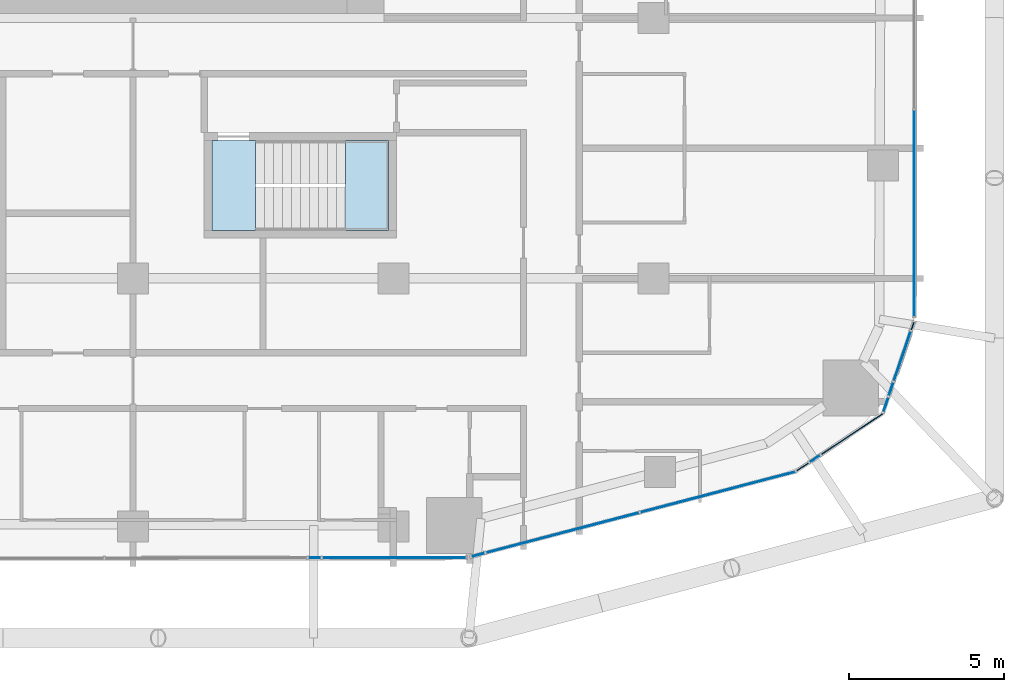
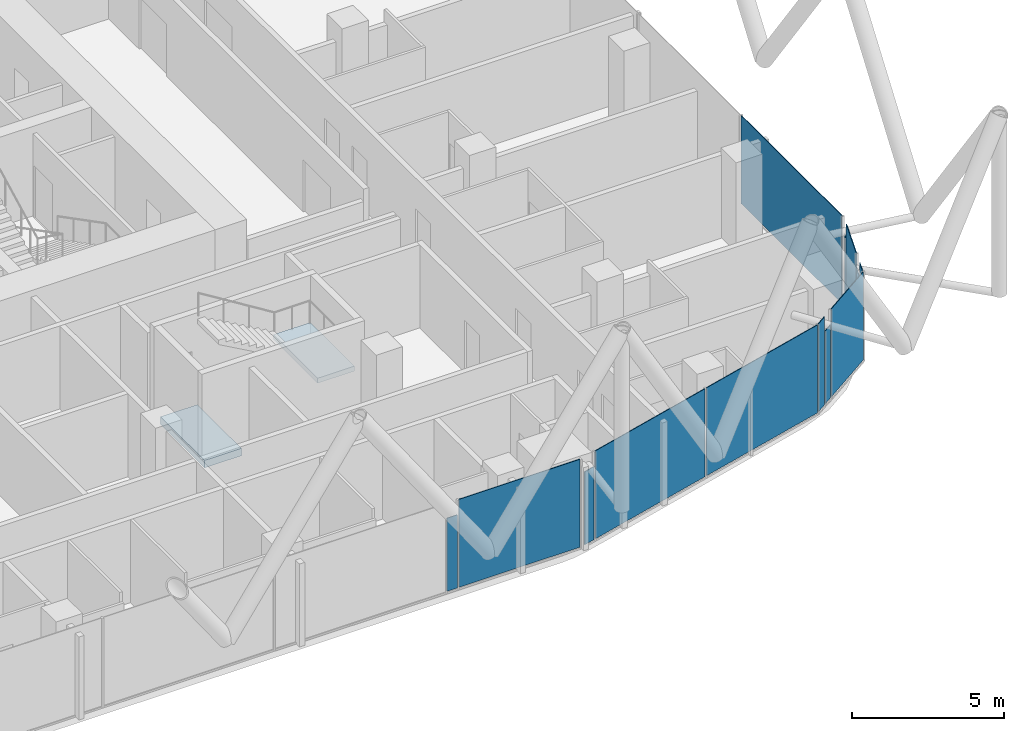
# One storey, part 22 of 38: 13 plates, 2 slabs, 13 elements without a shape of their own.
"""IFC4 building model written with IfcOpenShell, lengths in metres."""

from ifc_helpers import new_model, si_unit, direction, frame, origin, origin_2d, place, context, subcontext, project, spatial, polyline, rectangle, outline, extrude, material, layer, layer_set, type_object, element, aggregate, save


model = new_model("IFC4")

# Units and contexts
model_context = context("Model", 3, precision=1e-05, world=origin(), true_north=direction((0.0, 1.0)))
body_context = subcontext(model_context, "Body", "Model", "MODEL_VIEW")
ifc_project = project(units=[si_unit("LENGTHUNIT", "METRE"), si_unit("AREAUNIT", "SQUARE_METRE"), si_unit("VOLUMEUNIT", "CUBIC_METRE"), si_unit("PLANEANGLEUNIT", "RADIAN"), si_unit("MASSUNIT", "GRAM", prefix="KILO")], contexts=[model_context])

# Site, building, storey
site_placement = place(None, origin())
site = spatial("IfcSite", under=ifc_project, at=site_placement, CompositionType="ELEMENT")
building_placement = place(site_placement, origin())
building = spatial("IfcBuilding", under=site, at=building_placement, Name="Marenta Gate Hotel Tower", CompositionType="ELEMENT")
storey_placement = place(building_placement, frame((0.0, 0.0, 54.5)))
storey = spatial("IfcBuildingStorey", under=building, at=storey_placement, Name="L11", CompositionType="ELEMENT", Elevation=54.5)

# Curtain wall, plate
ifc_material_1 = material(Name="Tinted insulated glass in bronze anodised frame", Category="glass")
ifc_layer_1 = layer(ifc_material_1, 0.1201171875)
ifc_layer_set_1 = layer_set([ifc_layer_1], Name="Tinted insulated glass in bronze anodised frame")
curtain_wall_type = type_object("IfcCurtainWallType", Name="Tower unitised curtain wall CW1", PredefinedType="NOTDEFINED", material=ifc_layer_set_1)
curtain_wall_1_placement = place(storey_placement, origin())
curtain_wall_1 = element("IfcCurtainWall", 1, at=curtain_wall_1_placement, inside=storey, type_object=curtain_wall_type, Name="CW1 run G21", PredefinedType="NOTDEFINED")
ifc_material_2 = material(Name="Tinted insulated glass", Category="glass")
ifc_layer_2 = layer(ifc_material_2, 0.028076171875)
ifc_layer_set_2 = layer_set([ifc_layer_2], Name="Tinted insulated glass")
plate_type = type_object("IfcPlateType", Name="Glass panel CW1 28 mm tinted insulated unit", PredefinedType="CURTAIN_PANEL", material=ifc_layer_set_2)
plate_1_placement = place(storey_placement, frame((10.06298828125, -17.418701171875, 0.06005859375), z_axis=(0.0, 0.0, 1.0), x_axis=(0.999999390865, 0.001103752086, 0.0)))
plate_1 = element("IfcPlate", 2, at=plate_1_placement, type_object=plate_type, Name="CW1 panel 1.1", PredefinedType="CURTAIN_PANEL", context=body_context, shape_type="SweptSolid", body=[
    extrude(rectangle(XDim=0.39306640625, YDim=0.028076171875, at=origin_2d()), origin(), (0.0, 0.0, 1.0), 2.9404296875),
])
aggregate(curtain_wall_1, [plate_1])

curtain_wall_2_placement = place(storey_placement, origin())
curtain_wall_2 = element("IfcCurtainWall", 3, at=curtain_wall_2_placement, inside=storey, type_object=curtain_wall_type, Name="CW1 run G22", PredefinedType="NOTDEFINED")
plate_2_placement = place(storey_placement, frame((12.626708984375, -17.415771484375, 0.06005859375), z_axis=(0.0, 0.0, 1.0), x_axis=(0.99999932513, 0.001161782868, 0.0)))
plate_2 = element("IfcPlate", 4, at=plate_2_placement, type_object=plate_type, Name="CW1 panel 1.1", PredefinedType="CURTAIN_PANEL", context=body_context, shape_type="SweptSolid", body=[
    extrude(rectangle(XDim=4.614013671875, YDim=0.028076171875, at=origin_2d()), origin(), (0.0, 0.0, 1.0), 3.5400390625),
])
aggregate(curtain_wall_2, [plate_2])

curtain_wall_3_placement = place(storey_placement, origin())
curtain_wall_3 = element("IfcCurtainWall", 5, at=curtain_wall_3_placement, inside=storey, type_object=curtain_wall_type, Name="CW1 run G23", PredefinedType="NOTDEFINED")
plate_3_placement = place(storey_placement, frame((15.337158203125, -17.322998046875, 0.06005859375), z_axis=(0.0, 0.0, 1.0), x_axis=(0.967355319897, 0.25342392363, 0.0)))
plate_3 = element("IfcPlate", 6, at=plate_3_placement, type_object=plate_type, Name="CW1 panel 1.1", PredefinedType="CURTAIN_PANEL", context=body_context, shape_type="SweptSolid", body=[
    extrude(rectangle(XDim=0.42333984375, YDim=0.028076171875, at=origin_2d()), origin(), (0.0, 0.0, 1.0), 2.9404296875),
])
aggregate(curtain_wall_3, [plate_3])

# Curtain wall, plates
curtain_wall_4_placement = place(storey_placement, origin())
curtain_wall_4 = element("IfcCurtainWall", 7, at=curtain_wall_4_placement, inside=storey, type_object=curtain_wall_type, Name="CW1 run G24", PredefinedType="NOTDEFINED")
plate_4_placement = place(storey_placement, frame((18.06298828125, -16.609130859375, 0.06005859375), z_axis=(0.0, 0.0, 1.0), x_axis=(0.967371097224, 0.253363691666, 0.0)))
plate_4 = element("IfcPlate", 8, at=plate_4_placement, type_object=plate_type, Name="CW1 panel 1.1", PredefinedType="CURTAIN_PANEL", context=body_context, shape_type="SweptSolid", body=[
    extrude(rectangle(XDim=5.091796875, YDim=0.028076171875, at=origin_2d()), origin(), (0.0, 0.0, 1.0), 3.5400390625),
])
plate_5_placement = place(storey_placement, frame((23.07568359375, -15.296142578125, 0.06005859375), z_axis=(0.0, 0.0, 1.0), x_axis=(0.967371097224, 0.253363691666, 0.0)))
plate_5 = element("IfcPlate", 9, at=plate_5_placement, type_object=plate_type, Name="CW1 panel 2.1", PredefinedType="CURTAIN_PANEL", context=body_context, shape_type="SweptSolid", body=[
    extrude(rectangle(XDim=5.15185546875, YDim=0.028076171875, at=origin_2d()), origin(), (0.0, 0.0, 1.0), 3.5400390625),
])
aggregate(curtain_wall_4, [plate_4, plate_5])

# Curtain wall, plate
curtain_wall_5_placement = place(storey_placement, origin())
curtain_wall_5 = element("IfcCurtainWall", 10, at=curtain_wall_5_placement, inside=storey, type_object=curtain_wall_type, Name="CW1 run G25", PredefinedType="NOTDEFINED")
plate_6_placement = place(storey_placement, frame((25.805419921875, -14.4853515625, 0.06005859375), z_axis=(0.0, 0.0, 1.0), x_axis=(0.83247144448, 0.55406795082, 0.0)))
plate_6 = element("IfcPlate", 11, at=plate_6_placement, type_object=plate_type, Name="CW1 panel 1.1", PredefinedType="CURTAIN_PANEL", context=body_context, shape_type="SweptSolid", body=[
    extrude(rectangle(XDim=0.451171875, YDim=0.028076171875, at=origin_2d()), origin(), (0.0, 0.0, 1.0), 3.5400390625),
])
aggregate(curtain_wall_5, [plate_6])

curtain_wall_6_placement = place(storey_placement, origin())
curtain_wall_6 = element("IfcCurtainWall", 12, at=curtain_wall_6_placement, inside=storey, type_object=curtain_wall_type, Name="CW1 run G26", PredefinedType="NOTDEFINED")
plate_7_placement = place(storey_placement, frame((26.20654296875, -14.21826171875, 0.06005859375), z_axis=(0.0, 0.0, 1.0), x_axis=(0.832559434477, 0.55393572557, 0.0)))
plate_7 = element("IfcPlate", 13, at=plate_7_placement, type_object=plate_type, Name="CW1 panel 1.1", PredefinedType="CURTAIN_PANEL", context=body_context, shape_type="SweptSolid", body=[
    extrude(rectangle(XDim=0.392822265625, YDim=0.028076171875, at=origin_2d()), origin(), (0.0, 0.0, 1.0), 2.9404296875),
])
aggregate(curtain_wall_6, [plate_7])

curtain_wall_7_placement = place(storey_placement, origin())
curtain_wall_7 = element("IfcCurtainWall", 14, at=curtain_wall_7_placement, inside=storey, type_object=curtain_wall_type, Name="CW1 run G27", PredefinedType="NOTDEFINED")
plate_8_placement = place(storey_placement, frame((27.407958984375, -13.418701171875, 0.06005859375), z_axis=(0.0, 0.0, 1.0), x_axis=(0.832486310802, 0.554045613941, 0.0)))
plate_8 = element("IfcPlate", 15, at=plate_8_placement, type_object=plate_type, Name="CW1 panel 1.1", PredefinedType="CURTAIN_PANEL", context=body_context, shape_type="SweptSolid", body=[
    extrude(rectangle(XDim=2.373291015625, YDim=0.028076171875, at=origin_2d()), origin(), (0.0, 0.0, 1.0), 3.5400390625),
])
aggregate(curtain_wall_7, [plate_8])

curtain_wall_8_placement = place(storey_placement, origin())
curtain_wall_8 = element("IfcCurtainWall", 16, at=curtain_wall_8_placement, inside=storey, type_object=curtain_wall_type, Name="CW1 run G28", PredefinedType="NOTDEFINED")
plate_9_placement = place(storey_placement, frame((28.493408203125, -12.474609375, 0.06005859375), z_axis=(0.0, 0.0, 1.0), x_axis=(0.322050601446, 0.946722456746, 0.0)))
plate_9 = element("IfcPlate", 17, at=plate_9_placement, type_object=plate_type, Name="CW1 panel 1.1", PredefinedType="CURTAIN_PANEL", context=body_context, shape_type="SweptSolid", body=[
    extrude(rectangle(XDim=0.485595703125, YDim=0.028076171875, at=origin_2d()), origin(), (0.0, 0.0, 1.0), 3.5400390625),
])
aggregate(curtain_wall_8, [plate_9])

curtain_wall_9_placement = place(storey_placement, origin())
curtain_wall_9 = element("IfcCurtainWall", 18, at=curtain_wall_9_placement, inside=storey, type_object=curtain_wall_type, Name="CW1 run G29", PredefinedType="NOTDEFINED")
plate_10_placement = place(storey_placement, frame((28.663330078125, -11.974853515625, 0.06005859375), z_axis=(0.0, 0.0, 1.0), x_axis=(0.321979977321, 0.946746478316, 0.0)))
plate_10 = element("IfcPlate", 19, at=plate_10_placement, type_object=plate_type, Name="CW1 panel 1.1", PredefinedType="CURTAIN_PANEL", context=body_context, shape_type="SweptSolid", body=[
    extrude(rectangle(XDim=0.45068359375, YDim=0.028076171875, at=origin_2d()), origin(), (0.0, 0.0, 1.0), 2.9404296875),
])
aggregate(curtain_wall_9, [plate_10])

curtain_wall_10_placement = place(storey_placement, origin())
curtain_wall_10 = element("IfcCurtainWall", 20, at=curtain_wall_10_placement, inside=storey, type_object=curtain_wall_type, Name="CW1 run G30", PredefinedType="NOTDEFINED")
plate_11_placement = place(storey_placement, frame((29.025634765625, -10.90966796875, 0.06005859375), z_axis=(0.0, 0.0, 1.0), x_axis=(0.322033613183, 0.946728235546, 0.0)))
plate_11 = element("IfcPlate", 21, at=plate_11_placement, type_object=plate_type, Name="CW1 panel 1.1", PredefinedType="CURTAIN_PANEL", context=body_context, shape_type="SweptSolid", body=[
    extrude(rectangle(XDim=1.6796875, YDim=0.028076171875, at=origin_2d()), origin(), (0.0, 0.0, 1.0), 3.5400390625),
])
aggregate(curtain_wall_10, [plate_11])

curtain_wall_11_placement = place(storey_placement, origin())
curtain_wall_11 = element("IfcCurtainWall", 22, at=curtain_wall_11_placement, inside=storey, type_object=curtain_wall_type, Name="CW1 run G31", PredefinedType="NOTDEFINED")
plate_12_placement = place(storey_placement, frame((29.35498046875, -9.94140625, 0.06005859375), z_axis=(0.0, 0.0, 1.0), x_axis=(0.322039841818, 0.946726116827, 0.0)))
plate_12 = element("IfcPlate", 23, at=plate_12_placement, type_object=plate_type, Name="CW1 panel 1.1", PredefinedType="CURTAIN_PANEL", context=body_context, shape_type="SweptSolid", body=[
    extrude(rectangle(XDim=0.24609375, YDim=0.028076171875, at=origin_2d()), origin(), (0.0, 0.0, 1.0), 2.9404296875),
])
aggregate(curtain_wall_11, [plate_12])

curtain_wall_12_placement = place(storey_placement, origin())
curtain_wall_12 = element("IfcCurtainWall", 24, at=curtain_wall_12_placement, inside=storey, type_object=curtain_wall_type, Name="CW1 run G32", PredefinedType="NOTDEFINED")
plate_13_placement = place(storey_placement, frame((29.4140625, -6.294677734375, 0.06005859375), z_axis=(0.0, 0.0, 1.0), x_axis=(0.0, 1.0, 0.0)))
plate_13 = element("IfcPlate", 25, at=plate_13_placement, type_object=plate_type, Name="CW1 panel 1.1", PredefinedType="CURTAIN_PANEL", context=body_context, shape_type="SweptSolid", body=[
    extrude(rectangle(XDim=6.640625, YDim=0.028076171875, at=origin_2d()), origin(), (0.0, 0.0, 1.0), 3.5400390625),
])
aggregate(curtain_wall_12, [plate_13])

# Stair, slab
ifc_material_3 = material(Name="Concrete C40", Category="concrete")
stair_type = type_object("IfcStairType", Name="Remote exit stair 1400 wide", PredefinedType="HALF_TURN_STAIR", material=ifc_material_3)
stair_placement = place(storey_placement, origin())
stair = element("IfcStair", 26, at=stair_placement, inside=storey, type_object=stair_type, Name="Exit stair RS-Z1-1", PredefinedType="HALF_TURN_STAIR")
ifc_material_4 = material(Name="Concrete C40", Category="concrete")
ifc_layer_3 = layer(ifc_material_4, 0.199951171875)
ifc_layer_set_3 = layer_set([ifc_layer_3], Name="Concrete C40")
slab_type_1 = type_object("IfcSlabType", Name="Remote stair landing 200", PredefinedType="LANDING", material=ifc_layer_set_3)
slab_1_placement = place(storey_placement, frame((0.0, 0.0, 1.60009765625)))
slab_1 = element("IfcSlab", 27, at=slab_1_placement, type_object=slab_type_1, Name="RL-200 RS-Z1-1 landing 1", PredefinedType="LANDING", context=body_context, shape_type="SweptSolid", body=[
    extrude(outline(polyline([(11.050048828125, -6.85009765625), (12.449951171875, -6.85009765625), (12.449951171875, -3.949951171875), (11.050048828125, -3.949951171875), (11.050048828125, -6.85009765625)])), origin(), (0.0, 0.0, 1.0), 0.199951171875),
])
aggregate(stair, [slab_1])

# Slab
ifc_material_5 = material(Name="Concrete C40", Category="concrete")
ifc_layer_4 = layer(ifc_material_5, 0.300048828125)
ifc_layer_set_4 = layer_set([ifc_layer_4], Name="Concrete C40")
slab_type_2 = type_object("IfcSlabType", Name="Stair floor landing slab 300", PredefinedType="FLOOR", material=ifc_layer_set_4)
slab_2_placement = place(storey_placement, frame((0.0, 0.0, -0.300048828125)))
element("IfcSlab", 28, at=slab_2_placement, inside=storey, type_object=slab_type_2, Name="L11-RS-Z1-1-CL", PredefinedType="FLOOR", context=body_context, shape_type="SweptSolid", body=[
    extrude(outline(polyline([(8.14990234375, -6.85009765625), (8.14990234375, -3.949951171875), (6.75, -3.949951171875), (6.75, -6.85009765625), (8.14990234375, -6.85009765625)])), origin(), (0.0, 0.0, 1.0), 0.300048828125),
])

save(model, "model.ifc")
